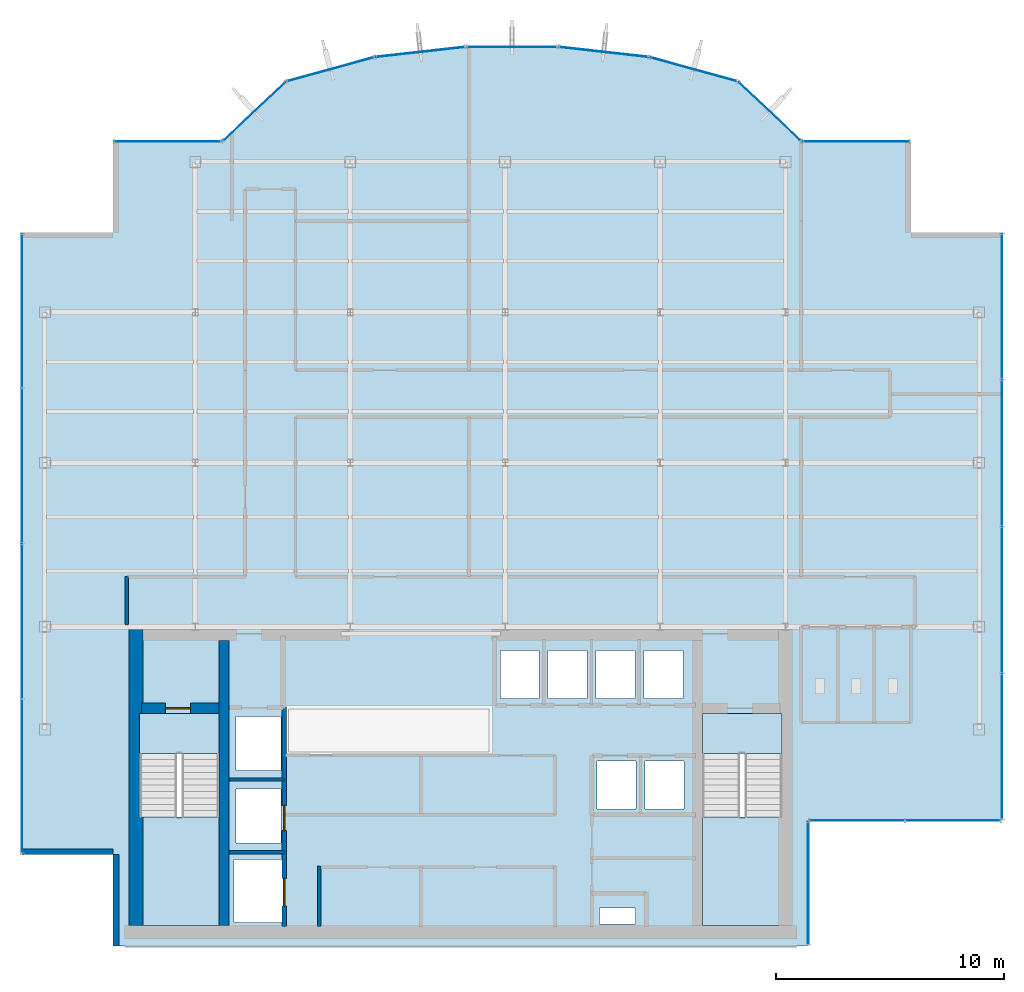
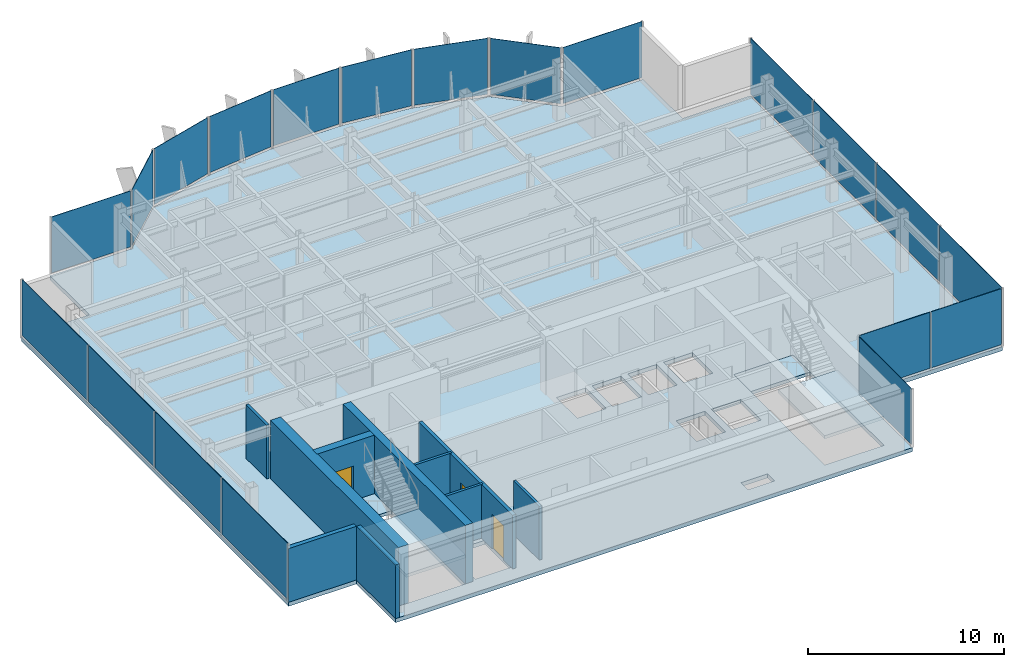
# One storey, part 16 of 22: 20 plates, 10 walls, 5 slabs, 3 doors, 3 openings, 15 elements without a shape of their own.
"""IFC4 building model written with IfcOpenShell, lengths in metres."""

from ifc_helpers import new_model, si_unit, derived_unit, direction, frame, frame_2d, origin, origin_2d, place, context, subcontext, project, spatial, polyline, rectangle, outline, extrude, source, transform, mapped, material, layer, layer_set, type_object, element, fill, aggregate, save


model = new_model("IFC4")

# Units and contexts
model_context = context("Model", 3, precision=1e-05, world=origin(), true_north=direction((0.0, 1.0)))
body_context = subcontext(model_context, "Body", "Model", "MODEL_VIEW")
ifc_project = project(units=[si_unit("LENGTHUNIT", "METRE"), si_unit("AREAUNIT", "SQUARE_METRE"), si_unit("VOLUMEUNIT", "CUBIC_METRE"), si_unit("PLANEANGLEUNIT", "RADIAN"), si_unit("MASSUNIT", "GRAM", prefix="KILO"), derived_unit("THERMALTRANSMITTANCEUNIT", [(si_unit("POWERUNIT", "WATT"), 1), (si_unit("LENGTHUNIT", "METRE"), -2), (si_unit("THERMODYNAMICTEMPERATUREUNIT", "KELVIN"), -1)])], contexts=[model_context])

# Site, building, storey
site_placement = place(None, origin())
site = spatial("IfcSite", under=ifc_project, at=site_placement, CompositionType="ELEMENT")
building_placement = place(site_placement, origin())
building = spatial("IfcBuilding", under=site, at=building_placement, Name="Skarnbrae Concourse Arena and Tower", CompositionType="ELEMENT")
storey_placement = place(building_placement, frame((0.0, 0.0, 232.39990234375)))
storey = spatial("IfcBuildingStorey", under=building, at=storey_placement, Name="L60", CompositionType="ELEMENT", Elevation=232.39990234375)

# Stair, slab
ifc_material_1 = material(Name="Concrete 40 MPa (C40/50)", Category="concrete")
stair_type = type_object("IfcStairType", Name="STAIR-DOGLEG-1650", PredefinedType="HALF_TURN_STAIR", material=ifc_material_1)
stair_1_placement = place(storey_placement, origin())
stair_1 = element("IfcStair", 1, at=stair_1_placement, inside=storey, type_object=stair_type, Name="L60 Protected Exit Stair ST-1", PredefinedType="HALF_TURN_STAIR")
ifc_layer_1 = layer(ifc_material_1, 0.199951171875)
ifc_layer_set_1 = layer_set([ifc_layer_1], Name="Concrete 40 MPa (C40/50)")
slab_type_1 = type_object("IfcSlabType", Name="SLAB-LANDING-200", PredefinedType="LANDING", material=ifc_layer_set_1)
slab_1_placement = place(storey_placement, frame((0.0, 0.0, 1.625)))
slab_1 = element("IfcSlab", 2, at=slab_1_placement, type_object=slab_type_1, Name="ST-1 landing 1", PredefinedType="LANDING", context=body_context, shape_type="SweptSolid", body=[
    extrude(outline(polyline([(5.14990234375, 5.64990234375), (5.14990234375, 0.89990234375), (8.64990234375, 0.89990234375), (8.64990234375, 5.64990234375), (5.14990234375, 5.64990234375)])), origin(), (0.0, 0.0, 1.0), 0.2001953125),
])
aggregate(stair_1, [slab_1])

stair_2_placement = place(storey_placement, origin())
stair_2 = element("IfcStair", 3, at=stair_2_placement, inside=storey, type_object=stair_type, Name="L60 Protected Exit Stair ST-2", PredefinedType="HALF_TURN_STAIR")
slab_2_placement = place(storey_placement, frame((0.0, 0.0, 1.625)))
slab_2 = element("IfcSlab", 4, at=slab_2_placement, type_object=slab_type_1, Name="ST-2 landing 1", PredefinedType="LANDING", context=body_context, shape_type="SweptSolid", body=[
    extrude(outline(polyline([(29.85009765625, 5.64990234375), (29.85009765625, 0.89990234375), (33.35009765625, 0.89990234375), (33.35009765625, 5.64990234375), (29.85009765625, 5.64990234375)])), origin(), (0.0, 0.0, 1.0), 0.2001953125),
])
aggregate(stair_2, [slab_2])

# Slabs
slab_3_placement = place(storey_placement, frame((0.0, 0.0, -0.199951171875)))
element("IfcSlab", 5, at=slab_3_placement, inside=storey, type_object=slab_type_1, Name="L60 Core stair ST1 floor landing", PredefinedType="LANDING", context=body_context, shape_type="SweptSolid", body=[
    extrude(outline(polyline([(5.14990234375, 10.199951171875), (5.14990234375, 8.449951171875), (8.64990234375, 8.449951171875), (8.64990234375, 10.199951171875), (5.14990234375, 10.199951171875)])), origin(), (0.0, 0.0, 1.0), 0.199951171875),
])
slab_4_placement = place(storey_placement, frame((0.0, 0.0, -0.199951171875)))
element("IfcSlab", 6, at=slab_4_placement, inside=storey, type_object=slab_type_1, Name="L60 Core stair ST2 floor landing", PredefinedType="LANDING", context=body_context, shape_type="SweptSolid", body=[
    extrude(outline(polyline([(29.85009765625, 10.199951171875), (29.85009765625, 8.449951171875), (33.35009765625, 8.449951171875), (33.35009765625, 10.199951171875), (29.85009765625, 10.199951171875)])), origin(), (0.0, 0.0, 1.0), 0.199951171875),
])
ifc_layer_2 = layer(ifc_material_1, 0.25)
ifc_layer_set_2 = layer_set([ifc_layer_2], Name="Concrete 40 MPa (C40/50)")
slab_type_2 = type_object("IfcSlabType", Name="SLAB-TOWER-250", PredefinedType="FLOOR", material=ifc_layer_set_2)
slab_5_placement = place(storey_placement, frame((0.0, 0.0, -0.25)))
element("IfcSlab", 7, at=slab_5_placement, inside=storey, type_object=slab_type_2, Name="L60 Structural floor slab", PredefinedType="FLOOR", context=body_context, shape_type="SweptSolid", body=[
    extrude(outline(polyline([(4.0, 0.0), (34.5, 0.0), (34.5, 5.5), (43.0, 5.5), (43.0, 31.300048828125), (39.0, 31.300048828125), (39.0, 35.300048828125), (34.199951171875, 35.300048828125), (31.40966796875, 37.9267578125), (27.52587890625, 38.9970703125), (23.51708984375, 39.44677734375), (19.48291015625, 39.44677734375), (15.47412109375, 38.9970703125), (11.59033203125, 37.9267578125), (8.800048828125, 35.300048828125), (4.0, 35.300048828125), (4.0, 31.300048828125), (0.0, 31.300048828125), (0.0, 4.0), (4.0, 4.0), (4.0, 0.0)]), holes=[polyline([(9.294921875, 1.02001953125), (9.294921875, 3.780029296875), (11.455078125, 3.780029296875), (11.455078125, 1.02001953125), (9.294921875, 1.02001953125)]), polyline([(8.64990234375, 10.199951171875), (8.64990234375, 0.89990234375), (5.14990234375, 0.89990234375), (5.14990234375, 10.199951171875), (8.64990234375, 10.199951171875)]), polyline([(9.39501953125, 6.8798828125), (11.35498046875, 6.8798828125), (11.35498046875, 4.52001953125), (9.39501953125, 4.52001953125), (9.39501953125, 6.8798828125)]), polyline([(9.39501953125, 7.695068359375), (9.39501953125, 10.054931640625), (11.35498046875, 10.054931640625), (11.35498046875, 7.695068359375), (9.39501953125, 7.695068359375)]), polyline([(20.985107421875, 12.955078125), (22.695068359375, 12.955078125), (22.695068359375, 10.844970703125), (20.985107421875, 10.844970703125), (20.985107421875, 12.955078125)]), polyline([(23.0849609375, 12.955078125), (24.794921875, 12.955078125), (24.794921875, 10.844970703125), (23.0849609375, 10.844970703125), (23.0849609375, 12.955078125)]), polyline([(25.35009765625, 0.949951171875), (25.35009765625, 1.669921875), (26.919921875, 1.669921875), (26.919921875, 0.949951171875), (25.35009765625, 0.949951171875)]), polyline([(33.35009765625, 10.199951171875), (33.35009765625, 0.89990234375), (29.85009765625, 0.89990234375), (29.85009765625, 10.199951171875), (33.35009765625, 10.199951171875)]), polyline([(25.235107421875, 8.10498046875), (26.945068359375, 8.10498046875), (26.945068359375, 5.9951171875), (25.235107421875, 5.9951171875), (25.235107421875, 8.10498046875)]), polyline([(27.3349609375, 5.9951171875), (27.3349609375, 8.10498046875), (29.044921875, 8.10498046875), (29.044921875, 5.9951171875), (27.3349609375, 5.9951171875)]), polyline([(25.18505859375, 12.955078125), (26.89501953125, 12.955078125), (26.89501953125, 10.844970703125), (25.18505859375, 10.844970703125), (25.18505859375, 12.955078125)]), polyline([(27.284912109375, 12.955078125), (28.9951171875, 12.955078125), (28.9951171875, 10.844970703125), (27.284912109375, 10.844970703125), (27.284912109375, 12.955078125)])]), origin(), (0.0, 0.0, 1.0), 0.25),
])

# Curtain wall, plate
ifc_material_2 = material(Name="Bronze anodised aluminium 6063-T6", Category="aluminium")
curtain_wall_type = type_object("IfcCurtainWallType", Name="CW-SYS-05-HIGHZONE", PredefinedType="USERDEFINED", material=ifc_material_2)
curtain_wall_1_placement = place(storey_placement, origin())
curtain_wall_1 = element("IfcCurtainWall", 8, at=curtain_wall_1_placement, inside=storey, type_object=curtain_wall_type, Name="L60 Unitised curtain wall CW-L60-E02", ObjectType="UNITISED CURTAIN WALL", PredefinedType="USERDEFINED")
ifc_material_3 = material(Name="Low-E triple insulating glass", Category="glass")
ifc_layer_3 = layer(ifc_material_3, 0.030029296875)
ifc_layer_set_3 = layer_set([ifc_layer_3], Name="Low-E triple insulating glass")
plate_type = type_object("IfcPlateType", Name="CWP-CW-05", PredefinedType="CURTAIN_PANEL", material=ifc_layer_set_3)
shared_shape_1 = source(origin(), body_context, "Body", "SweptSolid", [
    extrude(rectangle(XDim=5.35009765625, YDim=0.030029296875, at=origin_2d()), origin(), (0.0, 0.0, 1.0), 3.5),
])
plate_1_placement = place(storey_placement, frame((34.5, 2.75, 0.150146484375), z_axis=(0.0, 0.0, 1.0), x_axis=(0.0, 1.0, 0.0)))
plate_1 = element("IfcPlate", 9, at=plate_1_placement, type_object=plate_type, Name="CW-L60-E02 Low-E Glazing Panel 1", PredefinedType="CURTAIN_PANEL", context=body_context, shape_type="MappedRepresentation", body=[
    mapped(shared_shape_1, transform((0.0, 0.0, 0.0))),
])
aggregate(curtain_wall_1, [plate_1])

# Curtain wall, plates
curtain_wall_2_placement = place(storey_placement, origin())
curtain_wall_2 = element("IfcCurtainWall", 10, at=curtain_wall_2_placement, inside=storey, type_object=curtain_wall_type, Name="L60 Unitised curtain wall CW-L60-E03", ObjectType="UNITISED CURTAIN WALL", PredefinedType="USERDEFINED")
shared_shape_2 = source(origin(), body_context, "Body", "SweptSolid", [
    extrude(rectangle(XDim=4.137451171875, YDim=0.030029296875, at=origin_2d()), origin(), (0.0, 0.0, 1.0), 3.5),
])
plate_2_placement = place(storey_placement, frame((36.643798828125, 5.5, 0.150146484375), z_axis=(0.0, 0.0, 1.0), x_axis=(1.0, 0.0, 0.0)))
plate_2 = element("IfcPlate", 11, at=plate_2_placement, type_object=plate_type, Name="CW-L60-E03 Low-E Glazing Panel 1", PredefinedType="CURTAIN_PANEL", context=body_context, shape_type="MappedRepresentation", body=[
    mapped(shared_shape_2, transform((0.0, 0.0, 0.0))),
])
plate_3_placement = place(storey_placement, frame((40.856201171875, 5.5, 0.150146484375), z_axis=(0.0, 0.0, 1.0), x_axis=(1.0, 0.0, 0.0)))
plate_3 = element("IfcPlate", 12, at=plate_3_placement, type_object=plate_type, Name="CW-L60-E03 Low-E Glazing Panel 2", PredefinedType="CURTAIN_PANEL", context=body_context, shape_type="MappedRepresentation", body=[
    mapped(shared_shape_2, transform((0.0, 0.0, 0.0))),
])
aggregate(curtain_wall_2, [plate_2, plate_3])

# Curtain wall, plate
curtain_wall_3_placement = place(storey_placement, origin())
curtain_wall_3 = element("IfcCurtainWall", 13, at=curtain_wall_3_placement, inside=storey, type_object=curtain_wall_type, Name="L60 Unitised curtain wall CW-L60-E07", ObjectType="UNITISED CURTAIN WALL", PredefinedType="USERDEFINED")
shared_shape_3 = source(origin(), body_context, "Body", "SweptSolid", [
    extrude(rectangle(XDim=4.64990234375, YDim=0.030029296875, at=origin_2d()), origin(), (0.0, 0.0, 1.0), 3.5),
])
plate_4_placement = place(storey_placement, frame((36.60009765625, 35.300048828125, 0.150146484375), z_axis=(0.0, 0.0, 1.0), x_axis=(-1.0, 0.0, 0.0)))
plate_4 = element("IfcPlate", 14, at=plate_4_placement, type_object=plate_type, Name="CW-L60-E07 Low-E Glazing Panel 1", PredefinedType="CURTAIN_PANEL", context=body_context, shape_type="MappedRepresentation", body=[
    mapped(shared_shape_3, transform((0.0, 0.0, 0.0))),
])
aggregate(curtain_wall_3, [plate_4])

curtain_wall_4_placement = place(storey_placement, origin())
curtain_wall_4 = element("IfcCurtainWall", 15, at=curtain_wall_4_placement, inside=storey, type_object=curtain_wall_type, Name="L60 Unitised curtain wall CW-L60-E15", ObjectType="UNITISED CURTAIN WALL", PredefinedType="USERDEFINED")
plate_5_placement = place(storey_placement, frame((6.39990234375, 35.300048828125, 0.150146484375), z_axis=(0.0, 0.0, 1.0), x_axis=(-1.0, 0.0, 0.0)))
plate_5 = element("IfcPlate", 16, at=plate_5_placement, type_object=plate_type, Name="CW-L60-E15 Low-E Glazing Panel 1", PredefinedType="CURTAIN_PANEL", context=body_context, shape_type="MappedRepresentation", body=[
    mapped(shared_shape_3, transform((0.0, 0.0, 0.0))),
])
aggregate(curtain_wall_4, [plate_5])

curtain_wall_5_placement = place(storey_placement, origin())
curtain_wall_5 = element("IfcCurtainWall", 17, at=curtain_wall_5_placement, inside=storey, type_object=curtain_wall_type, Name="L60 Unitised curtain wall CW-L60-E08", ObjectType="UNITISED CURTAIN WALL", PredefinedType="USERDEFINED")
shared_shape_4 = source(origin(), body_context, "Body", "SweptSolid", [
    extrude(rectangle(XDim=3.68212890625, YDim=0.030029296875, at=origin_2d()), origin(), (0.0, 0.0, 1.0), 3.5),
])
plate_6_placement = place(storey_placement, frame((32.804931640625, 36.61328125, 0.150146484375), z_axis=(0.0, 0.0, 1.0), x_axis=(-0.728130555214, 0.685438468838, 0.0)))
plate_6 = element("IfcPlate", 18, at=plate_6_placement, type_object=plate_type, Name="CW-L60-E08 Low-E Glazing Panel 1", PredefinedType="CURTAIN_PANEL", context=body_context, shape_type="MappedRepresentation", body=[
    mapped(shared_shape_4, transform((0.0, 0.0, 0.0))),
])
aggregate(curtain_wall_5, [plate_6])

curtain_wall_6_placement = place(storey_placement, origin())
curtain_wall_6 = element("IfcCurtainWall", 19, at=curtain_wall_6_placement, inside=storey, type_object=curtain_wall_type, Name="L60 Unitised curtain wall CW-L60-E14", ObjectType="UNITISED CURTAIN WALL", PredefinedType="USERDEFINED")
plate_7_placement = place(storey_placement, frame((10.195068359375, 36.61328125, 0.150146484375), z_axis=(0.0, 0.0, 1.0), x_axis=(-0.728130555214, -0.685438468838, 0.0)))
plate_7 = element("IfcPlate", 20, at=plate_7_placement, type_object=plate_type, Name="CW-L60-E14 Low-E Glazing Panel 1", PredefinedType="CURTAIN_PANEL", context=body_context, shape_type="MappedRepresentation", body=[
    mapped(shared_shape_4, transform((0.0, 0.0, 0.0))),
])
aggregate(curtain_wall_6, [plate_7])

curtain_wall_7_placement = place(storey_placement, origin())
curtain_wall_7 = element("IfcCurtainWall", 21, at=curtain_wall_7_placement, inside=storey, type_object=curtain_wall_type, Name="L60 Unitised curtain wall CW-L60-E09", ObjectType="UNITISED CURTAIN WALL", PredefinedType="USERDEFINED")
shared_shape_5 = source(origin(), body_context, "Body", "SweptSolid", [
    extrude(rectangle(XDim=3.878662109375, YDim=0.030029296875, at=origin_2d()), origin(), (0.0, 0.0, 1.0), 3.5),
])
plate_8_placement = place(storey_placement, frame((29.4677734375, 38.4619140625, 0.150146484375), z_axis=(0.0, 0.0, 1.0), x_axis=(-0.964057388766, 0.265694093207, 0.0)))
plate_8 = element("IfcPlate", 22, at=plate_8_placement, type_object=plate_type, Name="CW-L60-E09 Low-E Glazing Panel 1", PredefinedType="CURTAIN_PANEL", context=body_context, shape_type="MappedRepresentation", body=[
    mapped(shared_shape_5, transform((0.0, 0.0, 0.0))),
])
aggregate(curtain_wall_7, [plate_8])

curtain_wall_8_placement = place(storey_placement, origin())
curtain_wall_8 = element("IfcCurtainWall", 23, at=curtain_wall_8_placement, inside=storey, type_object=curtain_wall_type, Name="L60 Unitised curtain wall CW-L60-E13", ObjectType="UNITISED CURTAIN WALL", PredefinedType="USERDEFINED")
plate_9_placement = place(storey_placement, frame((13.5322265625, 38.4619140625, 0.150146484375), z_axis=(0.0, 0.0, 1.0), x_axis=(-0.964057388766, -0.265694093207, 0.0)))
plate_9 = element("IfcPlate", 24, at=plate_9_placement, type_object=plate_type, Name="CW-L60-E13 Low-E Glazing Panel 1", PredefinedType="CURTAIN_PANEL", context=body_context, shape_type="MappedRepresentation", body=[
    mapped(shared_shape_5, transform((0.0, 0.0, 0.0))),
])
aggregate(curtain_wall_8, [plate_9])

curtain_wall_9_placement = place(storey_placement, origin())
curtain_wall_9 = element("IfcCurtainWall", 25, at=curtain_wall_9_placement, inside=storey, type_object=curtain_wall_type, Name="L60 Unitised curtain wall CW-L60-E10", ObjectType="UNITISED CURTAIN WALL", PredefinedType="USERDEFINED")
shared_shape_6 = source(origin(), body_context, "Body", "SweptSolid", [
    extrude(rectangle(XDim=3.8837890625, YDim=0.030029296875, at=origin_2d()), origin(), (0.0, 0.0, 1.0), 3.5),
])
plate_10_placement = place(storey_placement, frame((25.521484375, 39.221923828125, 0.150146484375), z_axis=(0.0, 0.0, 1.0), x_axis=(-0.993768891873, 0.111460259941, 0.0)))
plate_10 = element("IfcPlate", 26, at=plate_10_placement, type_object=plate_type, Name="CW-L60-E10 Low-E Glazing Panel 1", PredefinedType="CURTAIN_PANEL", context=body_context, shape_type="MappedRepresentation", body=[
    mapped(shared_shape_6, transform((0.0, 0.0, 0.0))),
])
aggregate(curtain_wall_9, [plate_10])

curtain_wall_10_placement = place(storey_placement, origin())
curtain_wall_10 = element("IfcCurtainWall", 27, at=curtain_wall_10_placement, inside=storey, type_object=curtain_wall_type, Name="L60 Unitised curtain wall CW-L60-E12", ObjectType="UNITISED CURTAIN WALL", PredefinedType="USERDEFINED")
plate_11_placement = place(storey_placement, frame((17.478515625, 39.221923828125, 0.150146484375), z_axis=(0.0, 0.0, 1.0), x_axis=(-0.993768891873, -0.111460259941, 0.0)))
plate_11 = element("IfcPlate", 28, at=plate_11_placement, type_object=plate_type, Name="CW-L60-E12 Low-E Glazing Panel 1", PredefinedType="CURTAIN_PANEL", context=body_context, shape_type="MappedRepresentation", body=[
    mapped(shared_shape_6, transform((0.0, 0.0, 0.0))),
])
aggregate(curtain_wall_10, [plate_11])

curtain_wall_11_placement = place(storey_placement, origin())
curtain_wall_11 = element("IfcCurtainWall", 29, at=curtain_wall_11_placement, inside=storey, type_object=curtain_wall_type, Name="L60 Unitised curtain wall CW-L60-E11", ObjectType="UNITISED CURTAIN WALL", PredefinedType="USERDEFINED")
shared_shape_7 = source(origin(), body_context, "Body", "SweptSolid", [
    extrude(rectangle(XDim=3.884521484375, YDim=0.030029296875, at=origin_2d()), origin(), (0.0, 0.0, 1.0), 3.5),
])
plate_12_placement = place(storey_placement, frame((21.5, 39.44677734375, 0.150146484375), z_axis=(0.0, 0.0, 1.0), x_axis=(-1.0, 0.0, 0.0)))
plate_12 = element("IfcPlate", 30, at=plate_12_placement, type_object=plate_type, Name="CW-L60-E11 Low-E Glazing Panel 1", PredefinedType="CURTAIN_PANEL", context=body_context, shape_type="MappedRepresentation", body=[
    mapped(shared_shape_7, transform((0.0, 0.0, 0.0))),
])
aggregate(curtain_wall_11, [plate_12])

# Curtain wall, plates
curtain_wall_12_placement = place(storey_placement, origin())
curtain_wall_12 = element("IfcCurtainWall", 31, at=curtain_wall_12_placement, inside=storey, type_object=curtain_wall_type, Name="L60 Unitised curtain wall CW-L60-E18", ObjectType="UNITISED CURTAIN WALL", PredefinedType="USERDEFINED")
shared_shape_8 = source(origin(), body_context, "Body", "SweptSolid", [
    extrude(rectangle(XDim=6.71240234375, YDim=0.030029296875, at=origin_2d()), origin(), (0.0, 0.0, 1.0), 3.5),
])
plate_13_placement = place(storey_placement, frame((0.0, 27.86865234375, 0.150146484375), z_axis=(0.0, 0.0, 1.0), x_axis=(0.0, -1.0, 0.0)))
plate_13 = element("IfcPlate", 32, at=plate_13_placement, type_object=plate_type, Name="CW-L60-E18 Low-E Glazing Panel 1", PredefinedType="CURTAIN_PANEL", context=body_context, shape_type="MappedRepresentation", body=[
    mapped(shared_shape_8, transform((0.0, 0.0, 0.0))),
])
plate_14_placement = place(storey_placement, frame((0.0, 7.431396484375, 0.150146484375), z_axis=(0.0, 0.0, 1.0), x_axis=(0.0, -1.0, 0.0)))
plate_14 = element("IfcPlate", 33, at=plate_14_placement, type_object=plate_type, Name="CW-L60-E18 Low-E Glazing Panel 4", PredefinedType="CURTAIN_PANEL", context=body_context, shape_type="MappedRepresentation", body=[
    mapped(shared_shape_8, transform((0.0, 0.0, 0.0))),
])
shared_shape_9 = source(origin(), body_context, "Body", "SweptSolid", [
    extrude(rectangle(XDim=6.75, YDim=0.030029296875, at=origin_2d()), origin(), (0.0, 0.0, 1.0), 3.5),
])
plate_15_placement = place(storey_placement, frame((0.0, 21.0625, 0.150146484375), z_axis=(0.0, 0.0, 1.0), x_axis=(0.0, -1.0, 0.0)))
plate_15 = element("IfcPlate", 34, at=plate_15_placement, type_object=plate_type, Name="CW-L60-E18 Low-E Glazing Panel 2", PredefinedType="CURTAIN_PANEL", context=body_context, shape_type="MappedRepresentation", body=[
    mapped(shared_shape_9, transform((0.0, 0.0, 0.0))),
])
plate_16_placement = place(storey_placement, frame((0.0, 14.237548828125, 0.150146484375), z_axis=(0.0, 0.0, 1.0), x_axis=(0.0, -1.0, 0.0)))
plate_16 = element("IfcPlate", 35, at=plate_16_placement, type_object=plate_type, Name="CW-L60-E18 Low-E Glazing Panel 3", PredefinedType="CURTAIN_PANEL", context=body_context, shape_type="MappedRepresentation", body=[
    mapped(shared_shape_9, transform((0.0, 0.0, 0.0))),
])
aggregate(curtain_wall_12, [plate_13, plate_15, plate_16, plate_14])

curtain_wall_13_placement = place(storey_placement, origin())
curtain_wall_13 = element("IfcCurtainWall", 36, at=curtain_wall_13_placement, inside=storey, type_object=curtain_wall_type, Name="L60 Unitised curtain wall CW-L60-E04", ObjectType="UNITISED CURTAIN WALL", PredefinedType="USERDEFINED")
shared_shape_10 = source(origin(), body_context, "Body", "SweptSolid", [
    extrude(rectangle(XDim=6.33740234375, YDim=0.030029296875, at=origin_2d()), origin(), (0.0, 0.0, 1.0), 3.5),
])
plate_17_placement = place(storey_placement, frame((43.0, 8.743896484375, 0.150146484375), z_axis=(0.0, 0.0, 1.0), x_axis=(0.0, 1.0, 0.0)))
plate_17 = element("IfcPlate", 37, at=plate_17_placement, type_object=plate_type, Name="CW-L60-E04 Low-E Glazing Panel 1", PredefinedType="CURTAIN_PANEL", context=body_context, shape_type="MappedRepresentation", body=[
    mapped(shared_shape_10, transform((0.0, 0.0, 0.0))),
])
plate_18_placement = place(storey_placement, frame((43.0, 28.05615234375, 0.150146484375), z_axis=(0.0, 0.0, 1.0), x_axis=(0.0, 1.0, 0.0)))
plate_18 = element("IfcPlate", 38, at=plate_18_placement, type_object=plate_type, Name="CW-L60-E04 Low-E Glazing Panel 4", PredefinedType="CURTAIN_PANEL", context=body_context, shape_type="MappedRepresentation", body=[
    mapped(shared_shape_10, transform((0.0, 0.0, 0.0))),
])
shared_shape_11 = source(origin(), body_context, "Body", "SweptSolid", [
    extrude(rectangle(XDim=6.375, YDim=0.030029296875, at=origin_2d()), origin(), (0.0, 0.0, 1.0), 3.5),
])
plate_19_placement = place(storey_placement, frame((43.0, 15.175048828125, 0.150146484375), z_axis=(0.0, 0.0, 1.0), x_axis=(0.0, 1.0, 0.0)))
plate_19 = element("IfcPlate", 39, at=plate_19_placement, type_object=plate_type, Name="CW-L60-E04 Low-E Glazing Panel 2", PredefinedType="CURTAIN_PANEL", context=body_context, shape_type="MappedRepresentation", body=[
    mapped(shared_shape_11, transform((0.0, 0.0, 0.0))),
])
plate_20_placement = place(storey_placement, frame((43.0, 21.625, 0.150146484375), z_axis=(0.0, 0.0, 1.0), x_axis=(0.0, 1.0, 0.0)))
plate_20 = element("IfcPlate", 40, at=plate_20_placement, type_object=plate_type, Name="CW-L60-E04 Low-E Glazing Panel 3", PredefinedType="CURTAIN_PANEL", context=body_context, shape_type="MappedRepresentation", body=[
    mapped(shared_shape_11, transform((0.0, 0.0, 0.0))),
])
aggregate(curtain_wall_13, [plate_17, plate_19, plate_20, plate_18])

# Wall, opening, door
ifc_material_4 = material(Name="Concrete 50 MPa (C50/60)", Category="concrete")
ifc_layer_4 = layer(ifc_material_4, 0.449951171875)
ifc_layer_set_4 = layer_set([ifc_layer_4], Name="Concrete 50 MPa (C50/60)")
wall_type_1 = type_object("IfcWallType", Name="WALL-CORE-450-C50", PredefinedType="SHEAR", material=ifc_layer_set_4)
shared_shape_12 = source(origin(), body_context, "Body", "SweptSolid", [
    extrude(rectangle(XDim=3.389892578125, YDim=0.449951171875, at=frame_2d((1.69482421875, 0.0))), origin(), (0.0, 0.0, 1.0), 3.650146484375),
])
wall_1_placement = place(storey_placement, frame((5.25, 10.419921875, 0.0), z_axis=(0.0, 0.0, 1.0), x_axis=(1.0, 0.0, 0.0)))
wall_1 = element("IfcWall", 41, at=wall_1_placement, inside=storey, type_object=wall_type_1, Name="L60 Rear core shear wall CW-ST1-N", PredefinedType="SHEAR", context=body_context, shape_type="MappedRepresentation", body=[
    mapped(shared_shape_12, transform((0.0, 0.0, 0.0))),
])
opening_1_placement = place(wall_1_placement, frame((1.050048828125, 0.0, 0.0)))
opening_1 = element("IfcOpeningElement", 42, at=opening_1_placement, cuts=wall_1, Name="Opening DT-03", PredefinedType="OPENING", context=body_context, shape_type="SweptSolid", body=[
    extrude(rectangle(XDim=1.10009765625, YDim=2.14990234375, at=frame_2d((0.550048828125, 1.074951171875))), frame((0.0, 0.23486328125, 0.0), z_axis=(0.0, -1.0, 0.0), x_axis=(1.0, 0.0, 0.0)), (0.0, 0.0, 1.0), 0.469970703125),
])
ifc_material_5 = material(Name="Steel CSA G40.21 350W", Category="steel")
door_type_1 = type_object("IfcDoorType", Name="DOOR-FIRE-1100-90M", OperationType="NOTDEFINED", PredefinedType="DOOR", material=ifc_material_5)
shared_shape_13 = source(origin(), body_context, "Body", "SweptSolid", [
    extrude(rectangle(XDim=1.10009765625, YDim=2.14990234375, at=frame_2d((0.550048828125, 1.074951171875))), frame((0.0, 0.02490234375, 0.0), z_axis=(0.0, -1.0, 0.0), x_axis=(1.0, 0.0, 0.0)), (0.0, 0.0, 1.0), 0.050048828125),
])
door_1_placement = place(opening_1_placement, frame((1.10009765625, 0.0, 0.0), z_axis=(0.0, 0.0, 1.0), x_axis=(-1.0, 0.0, 0.0)))
door_1 = element("IfcDoor", 43, at=door_1_placement, inside=storey, type_object=door_type_1, Name="D-1818 Stair ST-1 Door", OperationType="SINGLE_SWING_LEFT", OverallHeight=2.14990234375, OverallWidth=1.10009765625, PredefinedType="DOOR", context=body_context, shape_type="MappedRepresentation", body=[
    mapped(shared_shape_13, transform((0.0, 0.0, 0.0))),
])
fill(opening_1, door_1)

# Walls
ifc_layer_5 = layer(ifc_material_4, 0.60009765625)
ifc_layer_set_5 = layer_set([ifc_layer_5], Name="Concrete 50 MPa (C50/60)")
wall_type_2 = type_object("IfcWallType", Name="WALL-CORE-600-C50", PredefinedType="SHEAR", material=ifc_layer_set_5)
shared_shape_14 = source(origin(), body_context, "Body", "SweptSolid", [
    extrude(rectangle(XDim=13.10009765625, YDim=0.60009765625, at=frame_2d((6.550048828125, 0.0))), origin(), (0.0, 0.0, 1.0), 3.650146484375),
])
wall_2_placement = place(storey_placement, frame((5.0, 0.89990234375, 0.0), z_axis=(0.0, 0.0, 1.0), x_axis=(0.0, 1.0, 0.0)))
element("IfcWall", 44, at=wall_2_placement, inside=storey, type_object=wall_type_2, Name="L60 Rear core shear wall CW-W", PredefinedType="SHEAR", context=body_context, shape_type="MappedRepresentation", body=[
    mapped(shared_shape_14, transform((0.0, 0.0, 0.0))),
])
shared_shape_15 = source(origin(), body_context, "Body", "SweptSolid", [
    extrude(rectangle(XDim=12.5, YDim=0.449951171875, at=frame_2d((6.25, 0.0))), origin(), (0.0, 0.0, 1.0), 3.650146484375),
])
wall_3_placement = place(storey_placement, frame((8.864990234375, 0.89990234375, 0.0), z_axis=(0.0, 0.0, 1.0), x_axis=(0.0, 1.0, 0.0)))
element("IfcWall", 45, at=wall_3_placement, inside=storey, type_object=wall_type_1, Name="L60 Rear core shear wall CW-WEB-W", PredefinedType="SHEAR", context=body_context, shape_type="MappedRepresentation", body=[
    mapped(shared_shape_15, transform((0.0, 0.0, 0.0))),
])
ifc_material_6 = material(Name="Precast concrete 40 MPa (C40/50)", Category="concrete")
ifc_layer_6 = layer(ifc_material_6, 0.25)
ifc_layer_set_6 = layer_set([ifc_layer_6], Name="Precast concrete 40 MPa (C40/50)")
wall_type_3 = type_object("IfcWallType", Name="WALL-EXT-SPANDREL-250", PredefinedType="STANDARD", material=ifc_layer_set_6)
shared_shape_16 = source(origin(), body_context, "Body", "SweptSolid", [
    extrude(rectangle(XDim=4.0, YDim=0.25, at=frame_2d((2.0, 0.0))), origin(), (0.0, 0.0, 1.0), 3.35009765625),
])
for number, where, z_axis, x_axis, name in (
    (46, (0.0, 4.125, 0.0), (0.0, 0.0, 1.0), (1.0, 0.0, 0.0), "L60 Notched corner insulated return wall 19"),
    (47, (4.125, 4.0, 0.0), (0.0, 0.0, 1.0), (0.0, -1.0, 0.0), "L60 Notched corner insulated return wall 20"),
):
    element("IfcWall", number, at=place(storey_placement, frame(where, z_axis=z_axis, x_axis=x_axis)), inside=storey, type_object=wall_type_3, Name=name, PredefinedType="STANDARD", context=body_context, shape_type="MappedRepresentation", body=[
        mapped(shared_shape_16, transform((0.0, 0.0, 0.0))),
    ])

# Wall, openings, doors
ifc_material_7 = material(Name="Gypsum board on cold-formed steel studs", Category="steel")
ifc_layer_7 = layer(ifc_material_7, 0.199951171875)
ifc_layer_set_7 = layer_set([ifc_layer_7], Name="Gypsum board on cold-formed steel studs")
wall_type_4 = type_object("IfcWallType", Name="WALL-PART-200-2HR", PredefinedType="PARTITIONING", material=ifc_layer_set_7)
shared_shape_17 = source(origin(), body_context, "Body", "SweptSolid", [
    extrude(rectangle(XDim=9.599853515625, YDim=0.199951171875, at=frame_2d((4.7998046875, 0.0))), origin(), (0.0, 0.0, 1.0), 3.35009765625),
])
wall_4_placement = place(storey_placement, frame((11.5, 0.85009765625, 0.0), z_axis=(0.0, 0.0, 1.0), x_axis=(0.0, 1.0, 0.0)))
wall_4 = element("IfcWall", 48, at=wall_4_placement, inside=storey, type_object=wall_type_4, Name="L60 Interior partition wall W-L60-FL-E", PredefinedType="PARTITIONING", context=body_context, shape_type="MappedRepresentation", body=[
    mapped(shared_shape_17, transform((0.0, 0.0, 0.0))),
])
opening_2_placement = place(wall_4_placement, frame((4.199951171875, 0.0, 0.0)))
opening_2 = element("IfcOpeningElement", 49, at=opening_2_placement, cuts=wall_4, Name="Opening LD-01", PredefinedType="OPENING", context=body_context, shape_type="SweptSolid", body=[
    extrude(rectangle(XDim=1.10009765625, YDim=2.14990234375, at=frame_2d((0.550048828125, 1.074951171875))), frame((0.0, 0.10986328125, 0.0), z_axis=(0.0, -1.0, 0.0), x_axis=(1.0, 0.0, 0.0)), (0.0, 0.0, 1.0), 0.219970703125),
])
opening_3_placement = place(wall_4_placement, frame((0.89990234375, 0.0, 0.0)))
opening_3 = element("IfcOpeningElement", 50, at=opening_3_placement, cuts=wall_4, Name="Opening LD-02", PredefinedType="OPENING", context=body_context, shape_type="SweptSolid", body=[
    extrude(rectangle(XDim=1.199951171875, YDim=2.14990234375, at=frame_2d((0.60009765625, 1.074951171875))), frame((0.0, 0.10986328125, 0.0), z_axis=(0.0, -1.0, 0.0), x_axis=(1.0, 0.0, 0.0)), (0.0, 0.0, 1.0), 0.219970703125),
])
door_type_2 = type_object("IfcDoorType", Name="DOOR-LIFT-SLIDE-1100", OperationType="SLIDING_TO_LEFT", PredefinedType="DOOR", material=ifc_material_5)
door_2_placement = place(opening_2_placement, frame((1.10009765625, 0.0, 0.0), z_axis=(0.0, 0.0, 1.0), x_axis=(-1.0, 0.0, 0.0)))
door_2 = element("IfcDoor", 51, at=door_2_placement, inside=storey, type_object=door_type_2, Name="D-1823 Firefighting Lift Landing Door FL-02", OperationType="SLIDING_TO_LEFT", OverallHeight=2.14990234375, OverallWidth=1.10009765625, PredefinedType="DOOR", context=body_context, shape_type="MappedRepresentation", body=[
    mapped(shared_shape_13, transform((0.0, 0.0, 0.0))),
])
fill(opening_2, door_2)
door_type_3 = type_object("IfcDoorType", Name="DOOR-LIFT-SLIDE-1200", OperationType="SLIDING_TO_LEFT", PredefinedType="DOOR", material=ifc_material_5)
shared_shape_18 = source(origin(), body_context, "Body", "SweptSolid", [
    extrude(rectangle(XDim=1.199951171875, YDim=2.14990234375, at=frame_2d((0.60009765625, 1.074951171875))), frame((0.0, 0.02490234375, 0.0), z_axis=(0.0, -1.0, 0.0), x_axis=(1.0, 0.0, 0.0)), (0.0, 0.0, 1.0), 0.050048828125),
])
door_3_placement = place(opening_3_placement, frame((1.199951171875, 0.0, 0.0), z_axis=(0.0, 0.0, 1.0), x_axis=(-1.0, 0.0, 0.0)))
door_3 = element("IfcDoor", 52, at=door_3_placement, inside=storey, type_object=door_type_3, Name="D-1824 Service Lift Landing Door SV-01", OperationType="SLIDING_TO_LEFT", OverallHeight=2.14990234375, OverallWidth=1.199951171875, PredefinedType="DOOR", context=body_context, shape_type="MappedRepresentation", body=[
    mapped(shared_shape_18, transform((0.0, 0.0, 0.0))),
])
fill(opening_3, door_3)

# Walls
ifc_layer_8 = layer(ifc_material_7, 0.14990234375)
ifc_layer_set_8 = layer_set([ifc_layer_8], Name="Gypsum board on cold-formed steel studs")
wall_type_5 = type_object("IfcWallType", Name="WALL-PART-150", PredefinedType="PARTITIONING", material=ifc_layer_set_8)
shared_shape_19 = source(origin(), body_context, "Body", "SweptSolid", [
    extrude(rectangle(XDim=2.39990234375, YDim=0.14990234375, at=frame_2d((1.199951171875, 0.0))), origin(), (0.0, 0.0, 1.0), 3.35009765625),
])
for number, where, z_axis, x_axis, name in (
    (53, (9.10009765625, 4.10009765625, 0.0), (0.0, 0.0, 1.0), (1.0, 0.0, 0.0), "L60 Interior partition wall W-L60-FL-D1"),
    (54, (9.10009765625, 7.300048828125, 0.0), (0.0, 0.0, 1.0), (1.0, 0.0, 0.0), "L60 Interior partition wall W-L60-FL-D2"),
):
    element("IfcWall", number, at=place(storey_placement, frame(where, z_axis=z_axis, x_axis=x_axis)), inside=storey, type_object=wall_type_5, Name=name, PredefinedType="PARTITIONING", context=body_context, shape_type="MappedRepresentation", body=[
        mapped(shared_shape_19, transform((0.0, 0.0, 0.0))),
    ])
ifc_layer_9 = layer(ifc_material_7, 0.14990234375)
ifc_layer_set_9 = layer_set([ifc_layer_9], Name="Gypsum board on cold-formed steel studs")
wall_type_6 = type_object("IfcWallType", Name="WALL-PART-150-1HR", PredefinedType="PARTITIONING", material=ifc_layer_set_9)
shared_shape_20 = source(origin(), body_context, "Body", "SweptSolid", [
    extrude(rectangle(XDim=2.64990234375, YDim=0.14990234375, at=frame_2d((1.324951171875, 0.0))), origin(), (0.0, 0.0, 1.0), 3.35009765625),
])
wall_5_placement = place(storey_placement, frame((13.050048828125, 0.85009765625, 0.0), z_axis=(0.0, 0.0, 1.0), x_axis=(0.0, 1.0, 0.0)))
element("IfcWall", 55, at=wall_5_placement, inside=storey, type_object=wall_type_6, Name="L60 Interior partition wall W-L60-B1M-W", PredefinedType="PARTITIONING", context=body_context, shape_type="MappedRepresentation", body=[
    mapped(shared_shape_20, transform((0.0, 0.0, 0.0))),
])
shared_shape_21 = source(origin(), body_context, "Body", "SweptSolid", [
    extrude(rectangle(XDim=2.119873046875, YDim=0.14990234375, at=frame_2d((1.06005859375, 0.0))), origin(), (0.0, 0.0, 1.0), 3.35009765625),
])
wall_6_placement = place(storey_placement, frame((4.60009765625, 14.080078125, 0.0), z_axis=(0.0, 0.0, 1.0), x_axis=(0.0, 1.0, 0.0)))
element("IfcWall", 56, at=wall_6_placement, inside=storey, type_object=wall_type_6, Name="L60 Interior partition wall W-L60-COR-01", PredefinedType="PARTITIONING", context=body_context, shape_type="MappedRepresentation", body=[
    mapped(shared_shape_21, transform((0.0, 0.0, 0.0))),
])

save(model, "model.ifc")
